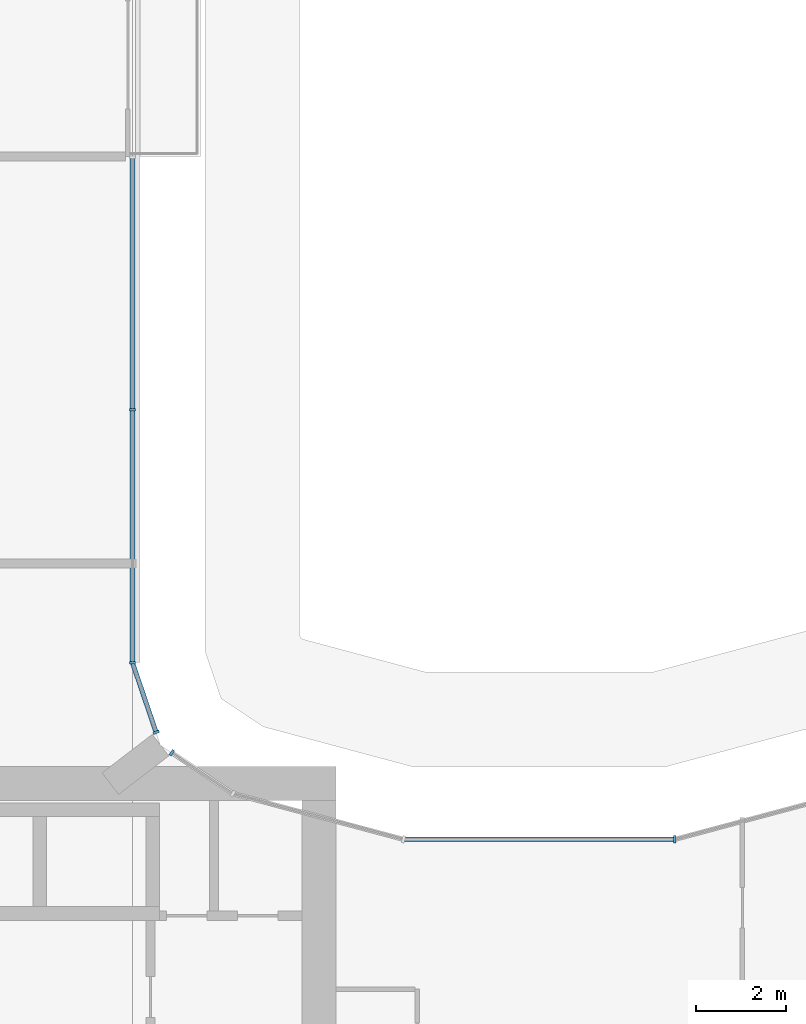
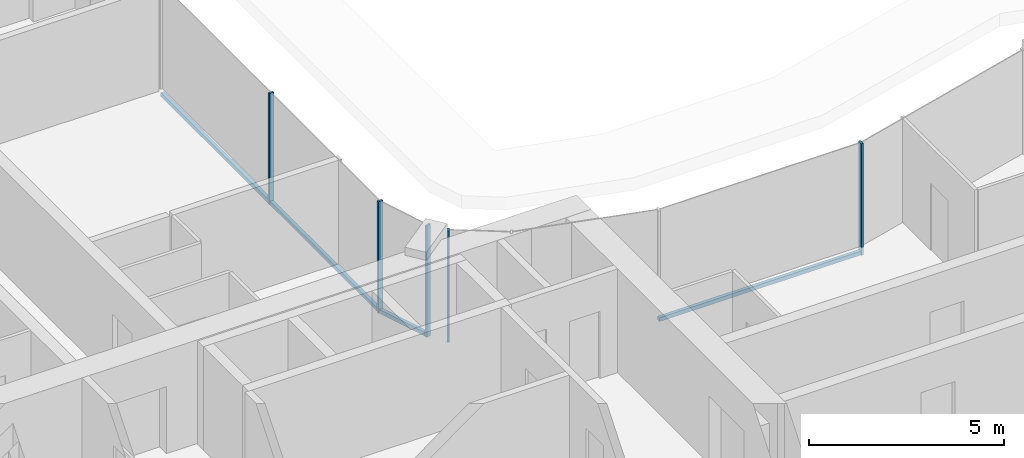
# One storey, part 4 of 24: 8 members, 4 elements without a shape of their own.
"""IFC4 building model written with IfcOpenShell, lengths in metres."""

from ifc_helpers import new_model, si_unit, direction, frame, origin, origin_2d, place, context, subcontext, project, spatial, rectangle, extrude, material, layer, layer_set, material_profile, profile_set, type_object, element, aggregate, save


model = new_model("IFC4")

# Units and contexts
model_context = context("Model", 3, precision=1e-05, world=origin(), true_north=direction((0.0, 1.0)))
body_context = subcontext(model_context, "Body", "Model", "MODEL_VIEW")
ifc_project = project(units=[si_unit("LENGTHUNIT", "METRE"), si_unit("AREAUNIT", "SQUARE_METRE"), si_unit("VOLUMEUNIT", "CUBIC_METRE"), si_unit("PLANEANGLEUNIT", "RADIAN"), si_unit("MASSUNIT", "GRAM", prefix="KILO")], contexts=[model_context])

# Site, building, storey
site_placement = place(None, origin())
site = spatial("IfcSite", under=ifc_project, at=site_placement, CompositionType="ELEMENT")
building_placement = place(site_placement, origin())
building = spatial("IfcBuilding", under=site, at=building_placement, Name="Plateau Cross Towers", CompositionType="ELEMENT")
storey_placement = place(building_placement, frame((0.0, 0.0, 30.300048828125)))
storey = spatial("IfcBuildingStorey", under=building, at=storey_placement, Name="L06", CompositionType="ELEMENT", Elevation=30.300048828125)

# Curtain wall, member
ifc_material_1 = material(Name="Dark low-iron glass", Category="glass")
ifc_layer_1 = layer(ifc_material_1, 0.239990234375)
ifc_layer_set_1 = layer_set([ifc_layer_1], Name="Dark low-iron glass")
curtain_wall_type_1 = type_object("IfcCurtainWallType", Name="Curtain wall flush unitised CW-B", PredefinedType="NOTDEFINED", material=ifc_layer_set_1)
curtain_wall_1_placement = place(storey_placement, origin())
curtain_wall_1 = element("IfcCurtainWall", 1, at=curtain_wall_1_placement, inside=storey, type_object=curtain_wall_type_1, Name="ENV/A/L06/A202_174", PredefinedType="NOTDEFINED")
ifc_material_2 = material(Name="Black anodised aluminium", Category="aluminium")
ifc_material_profile_1 = material_profile(ifc_material_2, rectangle(XDim=0.06005859375, YDim=0.139892578125, at=origin_2d()), Name="MULLION 60x140")
ifc_profile_set_1 = profile_set([ifc_material_profile_1], Name="Black anodised aluminium")
member_type_1 = type_object("IfcMemberType", Name="Mullion 60x140 flush unitised", PredefinedType="MULLION", material=ifc_profile_set_1)
member_1_placement = place(storey_placement, frame((18.86962890625, 18.30908203125, -0.25), z_axis=(0.0, 0.0, 1.0), x_axis=(-0.831521253329, 0.555492938984, 0.0)))
member_1 = element("IfcMember", 2, at=member_1_placement, type_object=member_type_1, Name="CW-B mullion 2", PredefinedType="MULLION", context=body_context, shape_type="SweptSolid", body=[
    extrude(rectangle(XDim=0.06005859375, YDim=0.139892578125, at=origin_2d()), origin(), (0.0, 0.0, 1.0), 3.5),
])
aggregate(curtain_wall_1, [member_1])

curtain_wall_2_placement = place(storey_placement, origin())
curtain_wall_2 = element("IfcCurtainWall", 3, at=curtain_wall_2_placement, inside=storey, type_object=curtain_wall_type_1, Name="ENV/A/L06/A185_188", PredefinedType="NOTDEFINED")
member_2_placement = place(storey_placement, frame((18.523681640625, 18.760009765625, -0.25), z_axis=(0.0, 0.0, 1.0), x_axis=(-0.321469161574, 0.94692004845, 0.0)))
member_2 = element("IfcMember", 4, at=member_2_placement, type_object=member_type_1, Name="CW-B mullion 1", PredefinedType="MULLION", context=body_context, shape_type="SweptSolid", body=[
    extrude(rectangle(XDim=0.06005859375, YDim=0.139892578125, at=origin_2d()), origin(), (0.0, 0.0, 1.0), 3.5),
])

# Curtain wall, members
curtain_wall_3_placement = place(storey_placement, origin())
curtain_wall_3 = element("IfcCurtainWall", 5, at=curtain_wall_3_placement, inside=storey, type_object=curtain_wall_type_1, Name="ENV/A/L06/A180_203", PredefinedType="NOTDEFINED")
member_3_placement = place(storey_placement, frame((18.0, 20.30224609375, -0.25), z_axis=(0.0, 0.0, 1.0), x_axis=(0.0, 1.0, 0.0)))
member_3 = element("IfcMember", 6, at=member_3_placement, type_object=member_type_1, Name="CW-B mullion 1", PredefinedType="MULLION", context=body_context, shape_type="SweptSolid", body=[
    extrude(rectangle(XDim=0.06005859375, YDim=0.139892578125, at=origin_2d()), origin(), (0.0, 0.0, 1.0), 3.5),
])
member_4_placement = place(storey_placement, frame((18.0, 25.896240234375, -0.25), z_axis=(0.0, 0.0, 1.0), x_axis=(0.0, 1.0, 0.0)))
member_4 = element("IfcMember", 7, at=member_4_placement, type_object=member_type_1, Name="CW-B mullion 2", PredefinedType="MULLION", context=body_context, shape_type="SweptSolid", body=[
    extrude(rectangle(XDim=0.06005859375, YDim=0.139892578125, at=origin_2d()), origin(), (0.0, 0.0, 1.0), 3.5),
])

# Curtain wall, member
ifc_layer_2 = layer(ifc_material_1, 0.260009765625)
ifc_layer_set_2 = layer_set([ifc_layer_2], Name="Dark low-iron glass")
curtain_wall_type_2 = type_object("IfcCurtainWallType", Name="Curtain wall fluted unitised CW-A", PredefinedType="NOTDEFINED", material=ifc_layer_set_2)
curtain_wall_4_placement = place(storey_placement, origin())
curtain_wall_4 = element("IfcCurtainWall", 8, at=curtain_wall_4_placement, inside=storey, type_object=curtain_wall_type_2, Name="ENV/A/L06/A300_164", PredefinedType="NOTDEFINED")
ifc_material_profile_2 = material_profile(ifc_material_2, rectangle(XDim=0.06005859375, YDim=0.159912109375, at=origin_2d()), Name="MULLION 60x160")
ifc_profile_set_2 = profile_set([ifc_material_profile_2], Name="Black anodised aluminium")
member_type_2 = type_object("IfcMemberType", Name="Mullion 60x160 fluted unitised", PredefinedType="MULLION", material=ifc_profile_set_2)
member_5_placement = place(storey_placement, frame((30.0, 16.39306640625, -0.25), z_axis=(0.0, 0.0, 1.0), x_axis=(-1.0, 0.0, 0.0)))
member_5 = element("IfcMember", 9, at=member_5_placement, type_object=member_type_2, Name="CW-A mullion 1", PredefinedType="MULLION", context=body_context, shape_type="SweptSolid", body=[
    extrude(rectangle(XDim=0.06005859375, YDim=0.159912109375, at=origin_2d()), origin(), (0.0, 0.0, 1.0), 3.5),
])

# Member
ifc_material_profile_3 = material_profile(ifc_material_2, rectangle(XDim=0.10009765625, YDim=0.1201171875, at=origin_2d()), Name="TRANSOM 100x120")
ifc_profile_set_3 = profile_set([ifc_material_profile_3], Name="Black anodised aluminium")
member_type_3 = type_object("IfcMemberType", Name="Transom 100x120 flush unitised", PredefinedType="USERDEFINED", material=ifc_profile_set_3)
member_6_placement = place(storey_placement, frame((18.523681640625, 18.760009765625, -0.18994140625), z_axis=(-0.321529174838, 0.946899672472, 0.0), x_axis=(-0.946899672472, -0.321529174838, 0.0)))
member_6 = element("IfcMember", 10, at=member_6_placement, type_object=member_type_3, Name="CW-B transom", ObjectType="TRANSOM", PredefinedType="USERDEFINED", context=body_context, shape_type="SweptSolid", body=[
    extrude(rectangle(XDim=0.10009765625, YDim=0.1201171875, at=origin_2d()), origin(), (0.0, 0.0, 1.0), 1.628662109375),
])

aggregate(curtain_wall_2, [member_2, member_6])

member_7_placement = place(storey_placement, frame((18.0, 20.30224609375, -0.18994140625), z_axis=(0.0, 1.0, 0.0), x_axis=(-1.0, 0.0, 0.0)))
member_7 = element("IfcMember", 11, at=member_7_placement, type_object=member_type_3, Name="CW-B transom", ObjectType="TRANSOM", PredefinedType="USERDEFINED", context=body_context, shape_type="SweptSolid", body=[
    extrude(rectangle(XDim=0.10009765625, YDim=0.1201171875, at=origin_2d()), origin(), (0.0, 0.0, 1.0), 11.187744140625),
])

aggregate(curtain_wall_3, [member_3, member_4, member_7])

ifc_material_profile_4 = material_profile(ifc_material_2, rectangle(XDim=0.10009765625, YDim=0.1201171875, at=origin_2d()), Name="TRANSOM 100x120")
ifc_profile_set_4 = profile_set([ifc_material_profile_4], Name="Black anodised aluminium")
member_type_4 = type_object("IfcMemberType", Name="Transom 100x120 fluted unitised", PredefinedType="USERDEFINED", material=ifc_profile_set_4)
member_8_placement = place(storey_placement, frame((30.0, 16.39306640625, -0.18994140625), z_axis=(-1.0, 0.0, 0.0), x_axis=(0.0, -1.0, 0.0)))
member_8 = element("IfcMember", 12, at=member_8_placement, type_object=member_type_4, Name="CW-A transom", ObjectType="TRANSOM", PredefinedType="USERDEFINED", context=body_context, shape_type="SweptSolid", body=[
    extrude(rectangle(XDim=0.10009765625, YDim=0.1201171875, at=origin_2d()), origin(), (0.0, 0.0, 1.0), 6.0),
])

aggregate(curtain_wall_4, [member_5, member_8])

save(model, "model.ifc")
